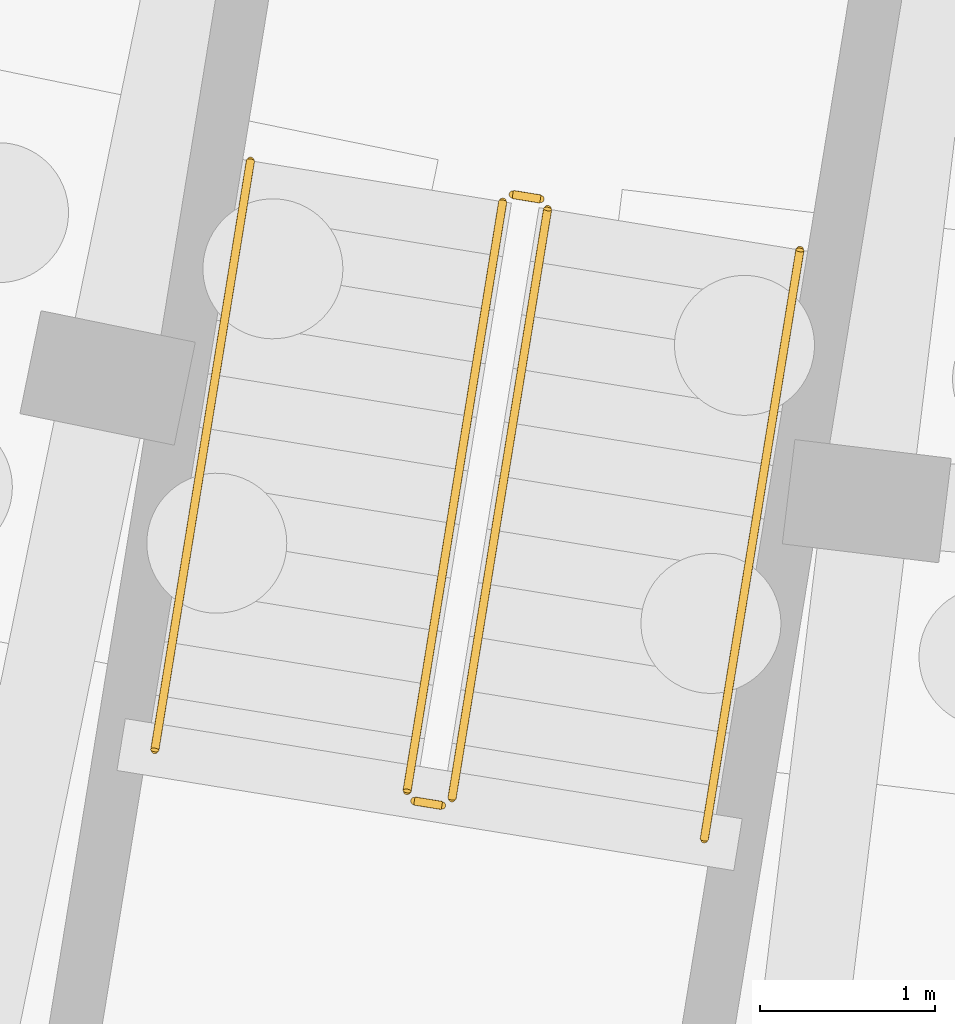
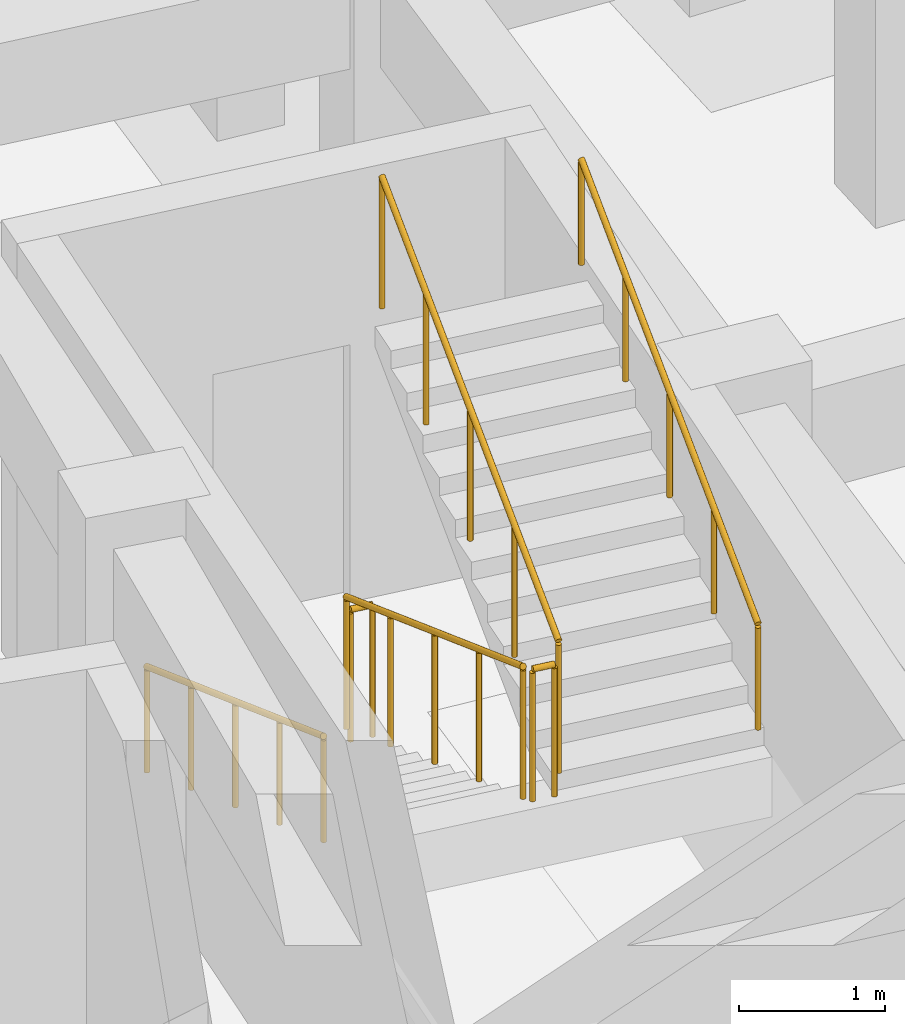
# One storey, part 27 of 32: 6 railings.
"""IFC4 building model written with IfcOpenShell, lengths in metres."""

from ifc_helpers import new_model, si_unit, direction, frame, origin, origin_2d, place, context, subcontext, project, spatial, circle, extrude, material, type_object, element, save


model = new_model("IFC4")

# Units and contexts
model_context = context("Model", 3, precision=1e-05, world=origin(), true_north=direction((0.0, 1.0)))
body_context = subcontext(model_context, "Body", "Model", "MODEL_VIEW")
ifc_project = project(units=[si_unit("LENGTHUNIT", "METRE"), si_unit("AREAUNIT", "SQUARE_METRE"), si_unit("VOLUMEUNIT", "CUBIC_METRE"), si_unit("PLANEANGLEUNIT", "RADIAN"), si_unit("MASSUNIT", "GRAM", prefix="KILO")], contexts=[model_context])

# Site, building, storey
site_placement = place(None, origin())
site = spatial("IfcSite", under=ifc_project, at=site_placement, CompositionType="ELEMENT")
building_placement = place(site_placement, origin())
building = spatial("IfcBuilding", under=site, at=building_placement, Name="Zimvara Arc Housing Community", CompositionType="ELEMENT")
storey_placement = place(building_placement, frame((0.0, 0.0, -3.60009765625)))
storey = spatial("IfcBuildingStorey", under=building, at=storey_placement, Name="B1", CompositionType="ELEMENT", Elevation=-3.60009765625)

# Railings
ifc_material_1 = material(Name="Anodised Aluminium AW-6063", Category="aluminium")
railing_type_1 = type_object("IfcRailingType", Name="RLG-BAL-1120", PredefinedType="BALUSTRADE", material=ifc_material_1)
railing_1_placement = place(storey_placement, frame((117.455810546875, 58.15771484375, 0.150146484375)))
element("IfcRailing", 1, at=railing_1_placement, inside=storey, type_object=railing_type_1, Name="B1 ST-C2 stair guard 1", PredefinedType="BALUSTRADE", context=body_context, shape_type="SweptSolid", body=[
    extrude(circle(Radius=0.02392578125, at=origin_2d()), frame((0.0, 0.0, 1.09619140625), z_axis=(-0.14424217572, -0.888526646323, 0.435562387629), x_axis=(0.98707794429, -0.160240855892, 0.0)), (0.0, 0.0, 1.0), 3.7880859375),
    extrude(circle(Radius=0.02099609375, at=origin_2d()), origin(), (0.0, 0.0, 1.0), 1.072021484375),
    extrude(circle(Radius=0.02099609375, at=origin_2d()), frame((-0.13671875, -0.84130859375, 0.41259765625)), (0.0, 0.0, 1.0), 1.072021484375),
    extrude(circle(Radius=0.02099609375, at=origin_2d()), frame((-0.273193359375, -1.682861328125, 0.824951171875)), (0.0, 0.0, 1.0), 1.072021484375),
    extrude(circle(Radius=0.02099609375, at=origin_2d()), frame((-0.40966796875, -2.5244140625, 1.2373046875)), (0.0, 0.0, 1.0), 1.072021484375),
    extrude(circle(Radius=0.02099609375, at=origin_2d()), frame((-0.54638671875, -3.36572265625, 1.64990234375)), (0.0, 0.0, 1.0), 1.072021484375),
])
railing_2_placement = place(storey_placement, frame((116.950927734375, 54.734619140625, 1.800048828125)))
element("IfcRailing", 2, at=railing_2_placement, inside=storey, type_object=railing_type_1, Name="B1 ST-C2 stair guard 2", PredefinedType="BALUSTRADE", context=body_context, shape_type="SweptSolid", body=[
    extrude(circle(Radius=0.02392578125, at=origin_2d()), frame((0.0, 0.0, 1.09619140625), z_axis=(0.987046686375, -0.160433284937, 0.0), x_axis=(0.160433284937, 0.987046686375, 0.0)), (0.0, 0.0, 1.0), 0.15966796875),
    extrude(circle(Radius=0.02099609375, at=origin_2d()), origin(), (0.0, 0.0, 1.0), 1.072021484375),
    extrude(circle(Radius=0.02099609375, at=origin_2d()), frame((0.15771484375, -0.025634765625, 0.0)), (0.0, 0.0, 1.0), 1.072021484375),
])
railing_3_placement = place(storey_placement, frame((117.166015625, 54.750244140625, 1.9501953125)))
element("IfcRailing", 3, at=railing_3_placement, inside=storey, type_object=railing_type_1, Name="B1 ST-C2 stair guard 3", PredefinedType="BALUSTRADE", context=body_context, shape_type="SweptSolid", body=[
    extrude(circle(Radius=0.02392578125, at=origin_2d()), frame((0.0, 0.0, 1.09619140625), z_axis=(0.144233915847, 0.888540213487, 0.435537445619), x_axis=(-0.987079782578, 0.16022953169, 0.0)), (0.0, 0.0, 1.0), 3.7880859375),
    extrude(circle(Radius=0.02099609375, at=origin_2d()), origin(), (0.0, 0.0, 1.0), 1.072021484375),
    extrude(circle(Radius=0.02099609375, at=origin_2d()), frame((0.13671875, 0.841552734375, 0.41259765625)), (0.0, 0.0, 1.0), 1.072021484375),
    extrude(circle(Radius=0.02099609375, at=origin_2d()), frame((0.273193359375, 1.68310546875, 0.824951171875)), (0.0, 0.0, 1.0), 1.072021484375),
    extrude(circle(Radius=0.02099609375, at=origin_2d()), frame((0.40966796875, 2.5244140625, 1.2373046875)), (0.0, 0.0, 1.0), 1.072021484375),
    extrude(circle(Radius=0.02099609375, at=origin_2d()), frame((0.54638671875, 3.365966796875, 1.64990234375)), (0.0, 0.0, 1.0), 1.072021484375),
])
railing_4_placement = place(storey_placement, frame((117.51318359375, 58.19921875, 0.0)))
element("IfcRailing", 4, at=railing_4_placement, inside=storey, type_object=railing_type_1, Name="B1 ST-C2 stair guard 4", PredefinedType="BALUSTRADE", context=body_context, shape_type="SweptSolid", body=[
    extrude(circle(Radius=0.02392578125, at=origin_2d()), frame((0.0, 0.0, 1.09619140625), z_axis=(0.987085924886, -0.160191687964, 0.0), x_axis=(0.160191687964, 0.987085924886, 0.0)), (0.0, 0.0, 1.0), 0.159912109375),
    extrude(circle(Radius=0.02099609375, at=origin_2d()), origin(), (0.0, 0.0, 1.0), 1.072021484375),
    extrude(circle(Radius=0.02099609375, at=origin_2d()), frame((0.157958984375, -0.025634765625, 0.0)), (0.0, 0.0, 1.0), 1.072021484375),
])
ifc_material_2 = material(Name="Anodised Aluminium AW-6063", Category="aluminium")
railing_type_2 = type_object("IfcRailingType", Name="RLG-HND-900", PredefinedType="HANDRAIL", material=ifc_material_2)
railing_5_placement = place(storey_placement, frame((116.0146484375, 58.391845703125, 0.150146484375)))
element("IfcRailing", 5, at=railing_5_placement, inside=storey, type_object=railing_type_2, Name="B1 ST-C2 stair handrail 1", PredefinedType="HANDRAIL", context=body_context, shape_type="SweptSolid", body=[
    extrude(circle(Radius=0.02392578125, at=origin_2d()), frame((0.0, 0.0, 0.8759765625), z_axis=(-0.144233915847, -0.888540213487, 0.435537445619), x_axis=(0.987079782578, -0.16022953169, 0.0)), (0.0, 0.0, 1.0), 3.7880859375),
    extrude(circle(Radius=0.02099609375, at=origin_2d()), origin(), (0.0, 0.0, 1.0), 0.851806640625),
    extrude(circle(Radius=0.02099609375, at=origin_2d()), frame((-0.13671875, -0.841552734375, 0.41259765625)), (0.0, 0.0, 1.0), 0.851806640625),
    extrude(circle(Radius=0.02099609375, at=origin_2d()), frame((-0.273193359375, -1.68310546875, 0.824951171875)), (0.0, 0.0, 1.0), 0.851806640625),
    extrude(circle(Radius=0.02099609375, at=origin_2d()), frame((-0.40966796875, -2.5244140625, 1.2373046875)), (0.0, 0.0, 1.0), 0.851806640625),
    extrude(circle(Radius=0.02099609375, at=origin_2d()), frame((-0.54638671875, -3.365966796875, 1.64990234375)), (0.0, 0.0, 1.0), 0.851806640625),
])
railing_6_placement = place(storey_placement, frame((118.607177734375, 54.516357421875, 1.9501953125)))
element("IfcRailing", 6, at=railing_6_placement, inside=storey, type_object=railing_type_2, Name="B1 ST-C2 stair handrail 2", PredefinedType="HANDRAIL", context=body_context, shape_type="SweptSolid", body=[
    extrude(circle(Radius=0.02392578125, at=origin_2d()), frame((0.0, 0.0, 0.8759765625), z_axis=(0.144233915847, 0.888540213487, 0.435537445619), x_axis=(-0.987079782578, 0.16022953169, 0.0)), (0.0, 0.0, 1.0), 3.7880859375),
    extrude(circle(Radius=0.02099609375, at=origin_2d()), origin(), (0.0, 0.0, 1.0), 0.851806640625),
    extrude(circle(Radius=0.02099609375, at=origin_2d()), frame((0.13671875, 0.841552734375, 0.41259765625)), (0.0, 0.0, 1.0), 0.851806640625),
    extrude(circle(Radius=0.02099609375, at=origin_2d()), frame((0.273193359375, 1.68310546875, 0.824951171875)), (0.0, 0.0, 1.0), 0.851806640625),
    extrude(circle(Radius=0.02099609375, at=origin_2d()), frame((0.40966796875, 2.5244140625, 1.2373046875)), (0.0, 0.0, 1.0), 0.851806640625),
    extrude(circle(Radius=0.02099609375, at=origin_2d()), frame((0.54638671875, 3.365966796875, 1.64990234375)), (0.0, 0.0, 1.0), 0.851806640625),
])

save(model, "model.ifc")
